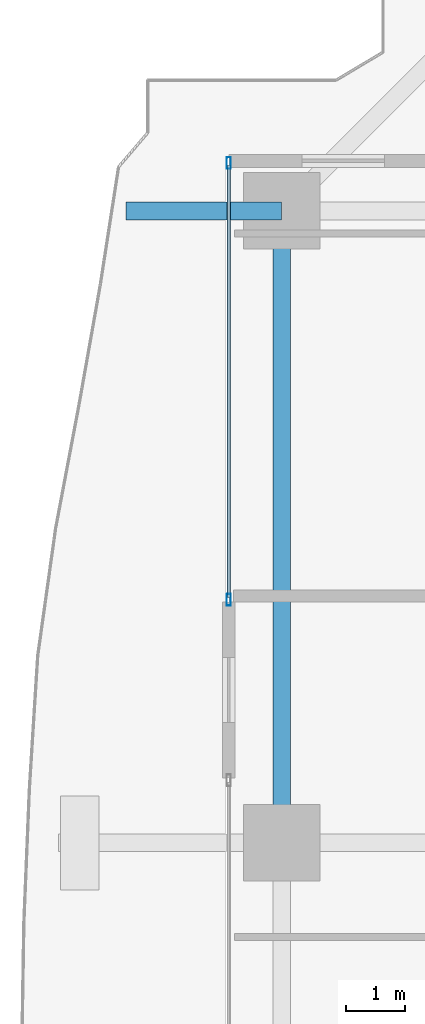
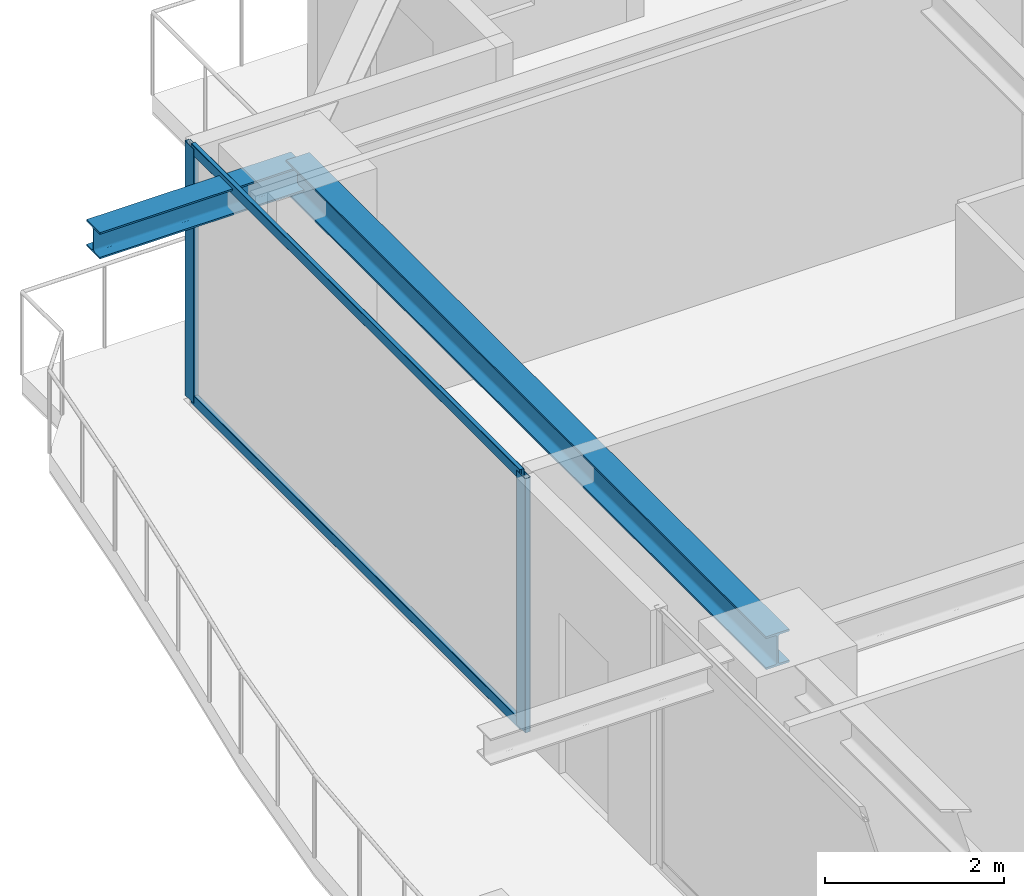
# One storey, part 17 of 38: 4 members, 2 beams, 1 element without a shape of its own.
"""IFC4 building model written with IfcOpenShell, lengths in metres."""

from ifc_helpers import new_model, si_unit, direction, frame, origin, origin_2d, place, context, subcontext, project, spatial, hollow_rectangle, i_section, extrude, source, transform, mapped, material, layer, layer_set, material_profile, profile_set, type_object, element, aggregate, save


model = new_model("IFC4")

# Units and contexts
model_context = context("Model", 3, precision=1e-05, world=origin(), true_north=direction((0.0, 1.0)))
body_context = subcontext(model_context, "Body", "Model", "MODEL_VIEW")
ifc_project = project(units=[si_unit("LENGTHUNIT", "METRE"), si_unit("AREAUNIT", "SQUARE_METRE"), si_unit("VOLUMEUNIT", "CUBIC_METRE"), si_unit("PLANEANGLEUNIT", "RADIAN"), si_unit("MASSUNIT", "GRAM", prefix="KILO")], contexts=[model_context])

# Site, building, storey
site_placement = place(None, origin())
site = spatial("IfcSite", under=ifc_project, at=site_placement, CompositionType="ELEMENT")
building_placement = place(site_placement, origin())
building = spatial("IfcBuilding", under=site, at=building_placement, Name="Serunith Strait Residences", CompositionType="ELEMENT")
storey_placement = place(building_placement, frame((0.0, 0.0, 120.14990234375)))
storey = spatial("IfcBuildingStorey", under=building, at=storey_placement, Name="L29", CompositionType="ELEMENT", Elevation=120.14990234375)

# Beams
ifc_material_1 = material(Name="Steel S355J2", Category="steel")
ifc_material_profile_1 = material_profile(ifc_material_1, i_section(OverallWidth=0.300048828125, OverallDepth=0.449951171875, WebThickness=0.013916015625, FlangeThickness=0.02587890625, FilletRadius=0.027099609375, at=origin_2d()), Name="HEB 450")
ifc_profile_set_1 = profile_set([ifc_material_profile_1], Name="Steel S355J2")
beam_type_1 = type_object("IfcBeamType", Name="BM-HEB450", PredefinedType="BEAM", material=ifc_profile_set_1)
shared_shape_1 = source(origin(), body_context, "Body", "SweptSolid", [
    extrude(i_section(OverallWidth=0.300048828125, OverallDepth=0.449951171875, WebThickness=0.013916015625, FlangeThickness=0.02587890625, FilletRadius=0.027099609375, at=origin_2d()), origin(), (0.0, 0.0, 1.0), 10.75),
])
beam_1_placement = place(storey_placement, frame((8.699951171875, 40.14990234375, 3.26220703125), z_axis=(0.0, -1.0, 0.0), x_axis=(1.0, 0.0, 0.0)))
element("IfcBeam", 1, at=beam_1_placement, inside=storey, type_object=beam_type_1, Name="L29 Perimeter Ring Beam 13", PredefinedType="BEAM", context=body_context, shape_type="MappedRepresentation", body=[
    mapped(shared_shape_1, transform((0.0, 0.0, 0.0), scale=1.0)),
])
ifc_material_profile_2 = material_profile(ifc_material_1, i_section(OverallWidth=0.300048828125, OverallDepth=0.360107421875, WebThickness=0.012451171875, FlangeThickness=0.0224609375, FilletRadius=0.027099609375, at=origin_2d()), Name="HEB 360")
ifc_profile_set_2 = profile_set([ifc_material_profile_2], Name="Steel S355J2")
beam_type_2 = type_object("IfcBeamType", Name="BM-HEB360", PredefinedType="BEAM", material=ifc_profile_set_2)
shared_shape_2 = source(origin(), body_context, "Body", "SweptSolid", [
    extrude(i_section(OverallWidth=0.300048828125, OverallDepth=0.360107421875, WebThickness=0.012451171875, FlangeThickness=0.0224609375, FilletRadius=0.027099609375, at=origin_2d()), origin(), (0.0, 0.0, 1.0), 2.645263671875),
])
beam_2_placement = place(storey_placement, frame((8.699951171875, 40.14990234375, 3.277099609375), z_axis=(-1.0, 0.0, 0.0), x_axis=(0.0, -1.0, 0.0)))
element("IfcBeam", 2, at=beam_2_placement, inside=storey, type_object=beam_type_2, Name="L30 Cantilevered Balcony Rib TC-W4", PredefinedType="BEAM", context=body_context, shape_type="MappedRepresentation", body=[
    mapped(shared_shape_2, transform((0.0, 0.0, 0.0), scale=1.0)),
])

# Curtain wall, members
ifc_material_2 = material(Name="Pale-Champagne Anodised Aluminium", Category="aluminium")
ifc_layer = layer(ifc_material_2, 0.199951171875, Name="Pale-Champagne Anodised Aluminium")
ifc_layer_set = layer_set([ifc_layer], Name="Pale-Champagne Anodised Aluminium")
curtain_wall_type = type_object("IfcCurtainWallType", Name="CW-SYS2", PredefinedType="NOTDEFINED", material=ifc_layer_set)
curtain_wall_placement = place(storey_placement, origin())
curtain_wall = element("IfcCurtainWall", 3, at=curtain_wall_placement, inside=storey, type_object=curtain_wall_type, Name="L29 W Unitised Fritted Curtain Wall", PredefinedType="NOTDEFINED")
ifc_material_profile_3 = material_profile(ifc_material_2, hollow_rectangle(XDim=0.070068359375, YDim=0.199951171875, WallThickness=0.00390625, InnerFilletRadius=0.006103515625, OuterFilletRadius=0.010009765625, at=origin_2d()), Name="ALU 200x70x4")
ifc_profile_set_3 = profile_set([ifc_material_profile_3], Name="Pale-Champagne Anodised Aluminium")
member_type_1 = type_object("IfcMemberType", Name="CW-SYS2-MULL", PredefinedType="MULLION", material=ifc_profile_set_3)
shared_shape_3 = source(origin(), body_context, "Body", "SweptSolid", [
    extrude(hollow_rectangle(XDim=0.070068359375, YDim=0.199951171875, WallThickness=0.00390625, InnerFilletRadius=0.006103515625, OuterFilletRadius=0.010009765625, at=origin_2d()), origin(), (0.0, 0.0, 1.0), 3.47509765625),
])
member_1_placement = place(storey_placement, frame((7.800048828125, 40.965087890625, 0.0), z_axis=(0.0, 0.0, 1.0), x_axis=(1.0, 0.0, 0.0)))
member_1 = element("IfcMember", 4, at=member_1_placement, type_object=member_type_1, Name="CW-2 mullion 1", PredefinedType="MULLION", context=body_context, shape_type="MappedRepresentation", body=[
    mapped(shared_shape_3, transform((0.0, 0.0, 0.0), scale=1.0)),
])
member_2_placement = place(storey_placement, frame((7.800048828125, 33.534912109375, 0.0), z_axis=(0.0, 0.0, 1.0), x_axis=(1.0, 0.0, 0.0)))
member_2 = element("IfcMember", 5, at=member_2_placement, type_object=member_type_1, Name="CW-2 mullion 2", PredefinedType="MULLION", context=body_context, shape_type="MappedRepresentation", body=[
    mapped(shared_shape_3, transform((0.0, 0.0, 0.0), scale=1.0)),
])
ifc_material_profile_4 = material_profile(ifc_material_2, hollow_rectangle(XDim=0.06005859375, YDim=0.139892578125, WallThickness=0.00341796875, InnerFilletRadius=0.00537109375, OuterFilletRadius=0.0087890625, at=origin_2d()), Name="ALU 140x60x3.5")
ifc_profile_set_4 = profile_set([ifc_material_profile_4], Name="Pale-Champagne Anodised Aluminium")
member_type_2 = type_object("IfcMemberType", Name="CW-SYS2-TRAN", PredefinedType="USERDEFINED", material=ifc_profile_set_4)
shared_shape_4 = source(origin(), body_context, "Body", "SweptSolid", [
    extrude(hollow_rectangle(XDim=0.06005859375, YDim=0.139892578125, WallThickness=0.00341796875, InnerFilletRadius=0.00537109375, OuterFilletRadius=0.0087890625, at=origin_2d()), origin(), (0.0, 0.0, 1.0), 7.35986328125),
])
member_3_placement = place(storey_placement, frame((7.800048828125, 40.929931640625, 0.030029296875), z_axis=(0.0, -1.0, 0.0), x_axis=(1.0, 0.0, 0.0)))
member_3 = element("IfcMember", 6, at=member_3_placement, type_object=member_type_2, Name="CW-2 transom 1.1", ObjectType="TRANSOM", PredefinedType="USERDEFINED", context=body_context, shape_type="MappedRepresentation", body=[
    mapped(shared_shape_4, transform((0.0, 0.0, 0.0), scale=1.0)),
])
member_4_placement = place(storey_placement, frame((7.800048828125, 40.929931640625, 3.445068359375), z_axis=(0.0, -1.0, 0.0), x_axis=(1.0, 0.0, 0.0)))
member_4 = element("IfcMember", 7, at=member_4_placement, type_object=member_type_2, Name="CW-2 transom 1.2", ObjectType="TRANSOM", PredefinedType="USERDEFINED", context=body_context, shape_type="MappedRepresentation", body=[
    mapped(shared_shape_4, transform((0.0, 0.0, 0.0), scale=1.0)),
])
aggregate(curtain_wall, [member_1, member_2, member_3, member_4])

save(model, "model.ifc")
